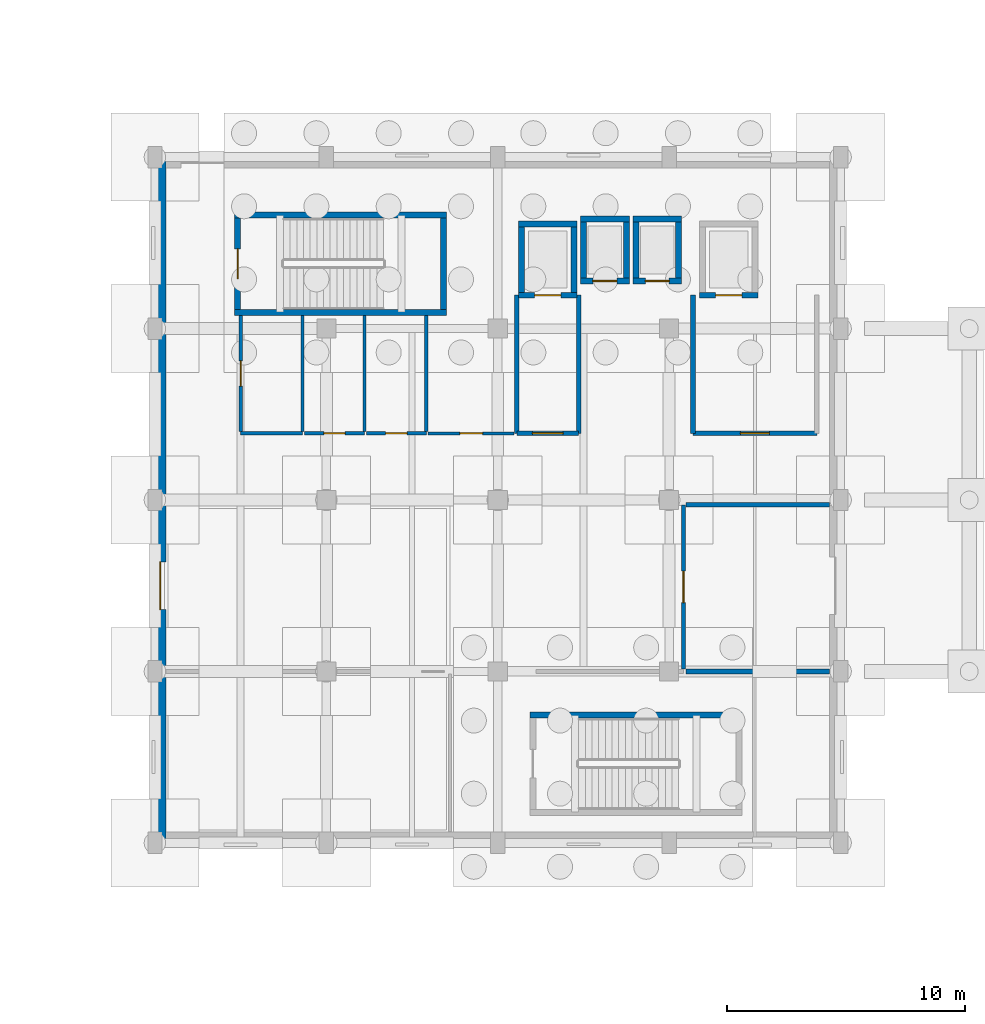
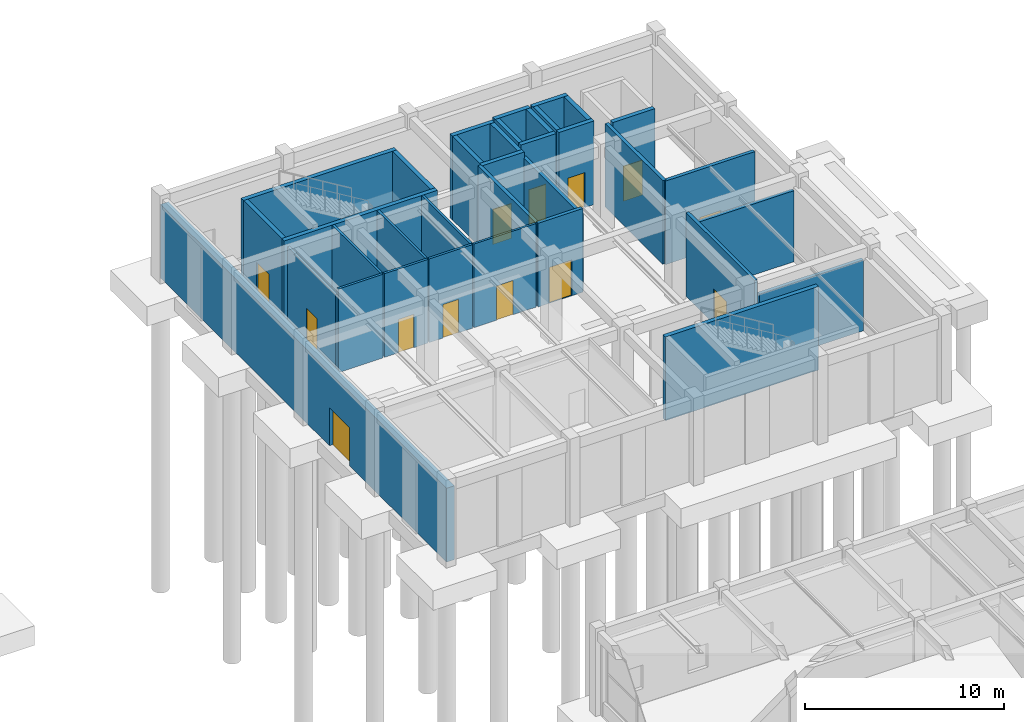
# One storey, part 77 of 91: 35 walls, 13 doors, 13 openings.
"""IFC4 building model written with IfcOpenShell, lengths in metres."""

from ifc_helpers import new_model, si_unit, direction, frame, frame_2d, origin, place, context, subcontext, project, spatial, rectangle, extrude, material, layer, layer_set, type_object, element, fill, save


model = new_model("IFC4")

# Units and contexts
model_context = context("Model", 3, precision=1e-05, world=origin(), true_north=direction((0.0, 1.0)))
body_context = subcontext(model_context, "Body", "Model", "MODEL_VIEW")
ifc_project = project(units=[si_unit("LENGTHUNIT", "METRE"), si_unit("AREAUNIT", "SQUARE_METRE"), si_unit("VOLUMEUNIT", "CUBIC_METRE"), si_unit("PLANEANGLEUNIT", "RADIAN"), si_unit("MASSUNIT", "GRAM", prefix="KILO")], contexts=[model_context])

# Site, building, storey
site_placement = place(None, origin())
site = spatial("IfcSite", under=ifc_project, at=site_placement, CompositionType="ELEMENT")
building_placement = place(site_placement, origin())
building = spatial("IfcBuilding", under=site, at=building_placement, Name="Bramveld Media Centre", CompositionType="ELEMENT")
storey_placement = place(building_placement, origin())
storey = spatial("IfcBuildingStorey", under=building, at=storey_placement, Name="L00", CompositionType="ELEMENT", Elevation=0.0)

# Walls
ifc_material_1 = material(Name="Concrete C40/50 stair & lift core wall", Category="concrete")
ifc_layer_1 = layer(ifc_material_1, 0.25)
ifc_layer_set_1 = layer_set([ifc_layer_1], Name="Concrete C40/50 stair & lift core wall")
wall_type_1 = type_object("IfcWallType", Name="CWALL-SHEAR-250", PredefinedType="SHEAR", material=ifc_layer_set_1)
for number, where, z_axis, x_axis, name in (
    (1, (134.550048828125, 105.47509765625, 0.0), (0.0, 0.0, 1.0), (1.0, 0.0, 0.0), "ST-01 L00 stair core shear wall S"),
    (2, (143.449951171875, 109.574951171875, 0.0), (0.0, 0.0, 1.0), (-1.0, 0.0, 0.0), "ST-01 L00 stair core shear wall N"),
):
    element("IfcWall", number, at=place(storey_placement, frame(where, z_axis=z_axis, x_axis=x_axis)), inside=storey, type_object=wall_type_1, Name=name, PredefinedType="SHEAR", context=body_context, shape_type="SweptSolid", body=[
        extrude(rectangle(XDim=8.89990234375, YDim=0.25, at=frame_2d((4.449951171875, 0.0))), origin(), (0.0, 0.0, 1.0), 5.139892578125),
    ])

# Wall, opening, door
wall_1_placement = place(storey_placement, frame((134.675048828125, 109.449951171875, 0.0), z_axis=(0.0, 0.0, 1.0), x_axis=(0.0, -1.0, 0.0)))
wall_1 = element("IfcWall", 3, at=wall_1_placement, inside=storey, type_object=wall_type_1, Name="ST-01 L00 stair core shear wall W", PredefinedType="SHEAR", context=body_context, shape_type="SweptSolid", body=[
    extrude(rectangle(XDim=3.849853515625, YDim=0.25, at=frame_2d((1.9248046875, 0.0))), origin(), (0.0, 0.0, 1.0), 5.139892578125),
])
opening_1_placement = place(wall_1_placement, frame((1.300048828125, 0.0, 0.0)))
opening_1 = element("IfcOpeningElement", 4, at=opening_1_placement, cuts=wall_1, Name="Opening SD-01-L00", PredefinedType="OPENING", context=body_context, shape_type="SweptSolid", body=[
    extrude(rectangle(XDim=1.25, YDim=2.14990234375, at=frame_2d((0.625, 1.074951171875))), frame((0.0, 0.136962890625, 0.0), z_axis=(0.0, -1.0, 0.0), x_axis=(1.0, 0.0, 0.0)), (0.0, 0.0, 1.0), 0.27392578125),
])
ifc_material_2 = material(Name="Painted galvanized steel acoustic fire door with intumescent smoke seals", Category="steel")
door_type_1 = type_object("IfcDoorType", Name="DR-ST-1250", OperationType="NOTDEFINED", PredefinedType="DOOR", material=ifc_material_2)
door_1_placement = place(opening_1_placement, origin())
door_1 = element("IfcDoor", 5, at=door_1_placement, inside=storey, type_object=door_type_1, Name="ST-01 L00 pressurized stair fire door", OperationType="SINGLE_SWING_LEFT", OverallHeight=2.14990234375, OverallWidth=1.25, PredefinedType="DOOR", context=body_context, shape_type="SweptSolid", body=[
    extrude(rectangle(XDim=1.25, YDim=2.14990234375, at=frame_2d((0.625, 1.074951171875))), frame((0.0, 0.02490234375, 0.0), z_axis=(0.0, -1.0, 0.0), x_axis=(1.0, 0.0, 0.0)), (0.0, 0.0, 1.0), 0.050048828125),
])
fill(opening_1, door_1)

# Walls
wall_2_placement = place(storey_placement, frame((143.324951171875, 105.60009765625, 0.0), z_axis=(0.0, 0.0, 1.0), x_axis=(0.0, 1.0, 0.0)))
element("IfcWall", 6, at=wall_2_placement, inside=storey, type_object=wall_type_1, Name="ST-01 L00 stair core shear wall E", PredefinedType="SHEAR", context=body_context, shape_type="SweptSolid", body=[
    extrude(rectangle(XDim=3.849853515625, YDim=0.25, at=frame_2d((1.9248046875, 0.0))), origin(), (0.0, 0.0, 1.0), 5.139892578125),
])
wall_3_placement = place(storey_placement, frame((155.85009765625, 88.574951171875, 0.0), z_axis=(0.0, 0.0, 1.0), x_axis=(-1.0, 0.0, 0.0)))
element("IfcWall", 7, at=wall_3_placement, inside=storey, type_object=wall_type_1, Name="ST-02 L00 stair core shear wall N", PredefinedType="SHEAR", context=body_context, shape_type="SweptSolid", body=[
    extrude(rectangle(XDim=8.900146484375, YDim=0.25, at=frame_2d((4.4501953125, 0.0))), origin(), (0.0, 0.0, 1.0), 5.139892578125),
])

# Wall, opening, door
wall_4_placement = place(storey_placement, frame((146.47509765625, 106.199951171875, 0.0), z_axis=(0.0, 0.0, 1.0), x_axis=(1.0, 0.0, 0.0)))
wall_4 = element("IfcWall", 8, at=wall_4_placement, inside=storey, type_object=wall_type_1, Name="FL-01 L00 lift shaft wall S", PredefinedType="SHEAR", context=body_context, shape_type="SweptSolid", body=[
    extrude(rectangle(XDim=2.449951171875, YDim=0.25, at=frame_2d((1.22509765625, 0.0))), origin(), (0.0, 0.0, 1.0), 5.139892578125),
])
opening_2_placement = place(wall_4_placement, frame((0.675048828125, 0.0, 0.0)))
opening_2 = element("IfcOpeningElement", 9, at=opening_2_placement, cuts=wall_4, Name="Opening LD-01-01-L00", PredefinedType="OPENING", context=body_context, shape_type="SweptSolid", body=[
    extrude(rectangle(XDim=1.10009765625, YDim=2.14990234375, at=frame_2d((0.550048828125, 1.074951171875))), frame((0.0, 0.136962890625, 0.0), z_axis=(0.0, -1.0, 0.0), x_axis=(1.0, 0.0, 0.0)), (0.0, 0.0, 1.0), 0.27392578125),
])
ifc_material_3 = material(Name="Brushed stainless steel automatic fire-rated sliding lift landing door", Category="steel")
door_type_2 = type_object("IfcDoorType", Name="LD-TYPE-01", OperationType="SLIDING_TO_LEFT", PredefinedType="DOOR", material=ifc_material_3)
door_2_placement = place(opening_2_placement, origin())
door_2 = element("IfcDoor", 10, at=door_2_placement, inside=storey, type_object=door_type_2, Name="FL-01 L00 sliding lift landing door", OperationType="SLIDING_TO_LEFT", OverallHeight=2.14990234375, OverallWidth=1.10009765625, PredefinedType="DOOR", context=body_context, shape_type="SweptSolid", body=[
    extrude(rectangle(XDim=1.10009765625, YDim=2.14990234375, at=frame_2d((0.550048828125, 1.074951171875))), frame((0.0, 0.02490234375, 0.0), z_axis=(0.0, -1.0, 0.0), x_axis=(1.0, 0.0, 0.0)), (0.0, 0.0, 1.0), 0.050048828125),
])
fill(opening_2, door_2)

# Walls
wall_5_placement = place(storey_placement, frame((148.925048828125, 109.199951171875, 0.0), z_axis=(0.0, 0.0, 1.0), x_axis=(-1.0, 0.0, 0.0)))
element("IfcWall", 11, at=wall_5_placement, inside=storey, type_object=wall_type_1, Name="FL-01 L00 lift shaft wall N", PredefinedType="SHEAR", context=body_context, shape_type="SweptSolid", body=[
    extrude(rectangle(XDim=2.449951171875, YDim=0.25, at=frame_2d((1.22509765625, 0.0))), origin(), (0.0, 0.0, 1.0), 5.139892578125),
])
for number, where, z_axis, x_axis, name in (
    (12, (146.60009765625, 109.199951171875, 0.0), (0.0, 0.0, 1.0), (0.0, -1.0, 0.0), "FL-01 L00 lift shaft wall W"),
    (13, (148.800048828125, 106.199951171875, 0.0), (0.0, 0.0, 1.0), (0.0, 1.0, 0.0), "FL-01 L00 lift shaft wall E"),
):
    element("IfcWall", number, at=place(storey_placement, frame(where, z_axis=z_axis, x_axis=x_axis)), inside=storey, type_object=wall_type_1, Name=name, PredefinedType="SHEAR", context=body_context, shape_type="SweptSolid", body=[
        extrude(rectangle(XDim=3.0, YDim=0.25, at=frame_2d((1.5, 0.0))), origin(), (0.0, 0.0, 1.0), 5.139892578125),
    ])

# Wall, opening, door
wall_6_placement = place(storey_placement, frame((154.074951171875, 106.199951171875, 0.0), z_axis=(0.0, 0.0, 1.0), x_axis=(1.0, 0.0, 0.0)))
wall_6 = element("IfcWall", 14, at=wall_6_placement, inside=storey, type_object=wall_type_1, Name="FL-02 L00 lift shaft wall S", PredefinedType="SHEAR", context=body_context, shape_type="SweptSolid", body=[
    extrude(rectangle(XDim=2.449951171875, YDim=0.25, at=frame_2d((1.22509765625, 0.0))), origin(), (0.0, 0.0, 1.0), 5.139892578125),
])
opening_3_placement = place(wall_6_placement, frame((0.675048828125, 0.0, 0.0)))
opening_3 = element("IfcOpeningElement", 15, at=opening_3_placement, cuts=wall_6, Name="Opening LD-01-02-L00", PredefinedType="OPENING", context=body_context, shape_type="SweptSolid", body=[
    extrude(rectangle(XDim=1.10009765625, YDim=2.14990234375, at=frame_2d((0.550048828125, 1.074951171875))), frame((0.0, 0.136962890625, 0.0), z_axis=(0.0, -1.0, 0.0), x_axis=(1.0, 0.0, 0.0)), (0.0, 0.0, 1.0), 0.27392578125),
])
door_3_placement = place(opening_3_placement, origin())
door_3 = element("IfcDoor", 16, at=door_3_placement, inside=storey, type_object=door_type_2, Name="FL-02 L00 sliding lift landing door", OperationType="SLIDING_TO_LEFT", OverallHeight=2.14990234375, OverallWidth=1.10009765625, PredefinedType="DOOR", context=body_context, shape_type="SweptSolid", body=[
    extrude(rectangle(XDim=1.10009765625, YDim=2.14990234375, at=frame_2d((0.550048828125, 1.074951171875))), frame((0.0, 0.02490234375, 0.0), z_axis=(0.0, -1.0, 0.0), x_axis=(1.0, 0.0, 0.0)), (0.0, 0.0, 1.0), 0.050048828125),
])
fill(opening_3, door_3)

wall_7_placement = place(storey_placement, frame((149.074951171875, 106.800048828125, 0.0), z_axis=(0.0, 0.0, 1.0), x_axis=(1.0, 0.0, 0.0)))
wall_7 = element("IfcWall", 17, at=wall_7_placement, inside=storey, type_object=wall_type_1, Name="PL-01 L00 lift shaft wall S", PredefinedType="SHEAR", context=body_context, shape_type="SweptSolid", body=[
    extrude(rectangle(XDim=2.050048828125, YDim=0.25, at=frame_2d((1.02490234375, 0.0))), origin(), (0.0, 0.0, 1.0), 5.139892578125),
])
opening_4_placement = place(wall_7_placement, frame((0.52490234375, 0.0, 0.0)))
opening_4 = element("IfcOpeningElement", 18, at=opening_4_placement, cuts=wall_7, Name="Opening LD-02-01-L00", PredefinedType="OPENING", context=body_context, shape_type="SweptSolid", body=[
    extrude(rectangle(XDim=1.0, YDim=2.14990234375, at=frame_2d((0.5, 1.074951171875))), frame((0.0, 0.136962890625, 0.0), z_axis=(0.0, -1.0, 0.0), x_axis=(1.0, 0.0, 0.0)), (0.0, 0.0, 1.0), 0.27392578125),
])
ifc_material_4 = material(Name="Brushed stainless steel automatic fire-rated sliding lift landing door", Category="steel")
door_type_3 = type_object("IfcDoorType", Name="LD-TYPE-02", OperationType="SLIDING_TO_LEFT", PredefinedType="DOOR", material=ifc_material_4)
door_4_placement = place(opening_4_placement, origin())
door_4 = element("IfcDoor", 19, at=door_4_placement, inside=storey, type_object=door_type_3, Name="PL-01 L00 sliding lift landing door", OperationType="SLIDING_TO_LEFT", OverallHeight=2.14990234375, OverallWidth=1.0, PredefinedType="DOOR", context=body_context, shape_type="SweptSolid", body=[
    extrude(rectangle(XDim=1.0, YDim=2.14990234375, at=frame_2d((0.5, 1.074951171875))), frame((0.0, 0.02490234375, 0.0), z_axis=(0.0, -1.0, 0.0), x_axis=(1.0, 0.0, 0.0)), (0.0, 0.0, 1.0), 0.050048828125),
])
fill(opening_4, door_4)

# Walls
wall_8_placement = place(storey_placement, frame((151.125, 109.39990234375, 0.0), z_axis=(0.0, 0.0, 1.0), x_axis=(-1.0, 0.0, 0.0)))
element("IfcWall", 20, at=wall_8_placement, inside=storey, type_object=wall_type_1, Name="PL-01 L00 lift shaft wall N", PredefinedType="SHEAR", context=body_context, shape_type="SweptSolid", body=[
    extrude(rectangle(XDim=2.050048828125, YDim=0.25, at=frame_2d((1.02490234375, 0.0))), origin(), (0.0, 0.0, 1.0), 5.139892578125),
])
for number, where, z_axis, x_axis, name in (
    (21, (149.199951171875, 109.39990234375, 0.0), (0.0, 0.0, 1.0), (0.0, -1.0, 0.0), "PL-01 L00 lift shaft wall W"),
    (22, (151.0, 106.800048828125, 0.0), (0.0, 0.0, 1.0), (0.0, 1.0, 0.0), "PL-01 L00 lift shaft wall E"),
):
    element("IfcWall", number, at=place(storey_placement, frame(where, z_axis=z_axis, x_axis=x_axis)), inside=storey, type_object=wall_type_1, Name=name, PredefinedType="SHEAR", context=body_context, shape_type="SweptSolid", body=[
        extrude(rectangle(XDim=2.599853515625, YDim=0.25, at=frame_2d((1.2998046875, 0.0))), origin(), (0.0, 0.0, 1.0), 5.139892578125),
    ])

# Wall, opening, door
wall_9_placement = place(storey_placement, frame((151.27490234375, 106.800048828125, 0.0), z_axis=(0.0, 0.0, 1.0), x_axis=(1.0, 0.0, 0.0)))
wall_9 = element("IfcWall", 23, at=wall_9_placement, inside=storey, type_object=wall_type_1, Name="PL-02 L00 lift shaft wall S", PredefinedType="SHEAR", context=body_context, shape_type="SweptSolid", body=[
    extrude(rectangle(XDim=2.050048828125, YDim=0.25, at=frame_2d((1.02490234375, 0.0))), origin(), (0.0, 0.0, 1.0), 5.139892578125),
])
opening_5_placement = place(wall_9_placement, frame((0.52490234375, 0.0, 0.0)))
opening_5 = element("IfcOpeningElement", 24, at=opening_5_placement, cuts=wall_9, Name="Opening LD-02-02-L00", PredefinedType="OPENING", context=body_context, shape_type="SweptSolid", body=[
    extrude(rectangle(XDim=1.0, YDim=2.14990234375, at=frame_2d((0.5, 1.074951171875))), frame((0.0, 0.136962890625, 0.0), z_axis=(0.0, -1.0, 0.0), x_axis=(1.0, 0.0, 0.0)), (0.0, 0.0, 1.0), 0.27392578125),
])
door_5_placement = place(opening_5_placement, origin())
door_5 = element("IfcDoor", 25, at=door_5_placement, inside=storey, type_object=door_type_3, Name="PL-02 L00 sliding lift landing door", OperationType="SLIDING_TO_LEFT", OverallHeight=2.14990234375, OverallWidth=1.0, PredefinedType="DOOR", context=body_context, shape_type="SweptSolid", body=[
    extrude(rectangle(XDim=1.0, YDim=2.14990234375, at=frame_2d((0.5, 1.074951171875))), frame((0.0, 0.02490234375, 0.0), z_axis=(0.0, -1.0, 0.0), x_axis=(1.0, 0.0, 0.0)), (0.0, 0.0, 1.0), 0.050048828125),
])
fill(opening_5, door_5)

# Walls
wall_10_placement = place(storey_placement, frame((153.324951171875, 109.39990234375, 0.0), z_axis=(0.0, 0.0, 1.0), x_axis=(-1.0, 0.0, 0.0)))
element("IfcWall", 26, at=wall_10_placement, inside=storey, type_object=wall_type_1, Name="PL-02 L00 lift shaft wall N", PredefinedType="SHEAR", context=body_context, shape_type="SweptSolid", body=[
    extrude(rectangle(XDim=2.050048828125, YDim=0.25, at=frame_2d((1.02490234375, 0.0))), origin(), (0.0, 0.0, 1.0), 5.139892578125),
])
for number, where, z_axis, x_axis, name in (
    (27, (151.39990234375, 109.39990234375, 0.0), (0.0, 0.0, 1.0), (0.0, -1.0, 0.0), "PL-02 L00 lift shaft wall W"),
    (28, (153.199951171875, 106.800048828125, 0.0), (0.0, 0.0, 1.0), (0.0, 1.0, 0.0), "PL-02 L00 lift shaft wall E"),
):
    element("IfcWall", number, at=place(storey_placement, frame(where, z_axis=z_axis, x_axis=x_axis)), inside=storey, type_object=wall_type_1, Name=name, PredefinedType="SHEAR", context=body_context, shape_type="SweptSolid", body=[
        extrude(rectangle(XDim=2.599853515625, YDim=0.25, at=frame_2d((1.2998046875, 0.0))), origin(), (0.0, 0.0, 1.0), 5.139892578125),
    ])

# Wall, opening, door
ifc_material_5 = material(Name="Flemish red-brown clay facing brick cavity wall with concrete C35/45 inner leaf", Category="masonry")
ifc_layer_2 = layer(ifc_material_5, 0.4599609375)
ifc_layer_set_2 = layer_set([ifc_layer_2], Name="Flemish red-brown clay facing brick cavity wall with concrete C35/45 inner leaf")
wall_type_2 = type_object("IfcWallType", Name="EW-BRK-460", PredefinedType="SOLIDWALL", material=ifc_layer_set_2)
wall_11_placement = place(storey_placement, frame((131.429931640625, 83.199951171875, 0.0), z_axis=(0.0, 0.0, 1.0), x_axis=(0.0, 1.0, 0.0)))
wall_11 = element("IfcWall", 29, at=wall_11_placement, inside=storey, type_object=wall_type_2, Name="V7 L00 W facing brick exterior wall", PredefinedType="SOLIDWALL", context=body_context, shape_type="SweptSolid", body=[
    extrude(rectangle(XDim=28.800048828125, YDim=0.4599609375, at=frame_2d((14.39990234375, 0.0))), origin(), (0.0, 0.0, 1.0), 4.534912109375),
])
opening_6_placement = place(wall_11_placement, frame((9.800048828125, 0.0, 0.0)))
opening_6 = element("IfcOpeningElement", 30, at=opening_6_placement, cuts=wall_11, Name="Opening ED-13", PredefinedType="OPENING", context=body_context, shape_type="SweptSolid", body=[
    extrude(rectangle(XDim=2.0, YDim=2.35009765625, at=frame_2d((1.0, 1.175048828125))), frame((0.0, 0.241943359375, 0.0), z_axis=(0.0, -1.0, 0.0), x_axis=(1.0, 0.0, 0.0)), (0.0, 0.0, 1.0), 0.48388671875),
])
ifc_material_6 = material(Name="Insulated powder-coated bronze aluminium & laminated safety glass door", Category="aluminium")
door_type_4 = type_object("IfcDoorType", Name="DR-EXT-2000", OperationType="NOTDEFINED", PredefinedType="DOOR", material=ifc_material_6)
door_6_placement = place(opening_6_placement, origin())
door_6 = element("IfcDoor", 31, at=door_6_placement, inside=storey, type_object=door_type_4, Name="Exterior door ED-13", OperationType="DOUBLE_DOOR_SINGLE_SWING", OverallHeight=2.35009765625, OverallWidth=2.0, PredefinedType="DOOR", context=body_context, shape_type="SweptSolid", body=[
    extrude(rectangle(XDim=2.0, YDim=2.35009765625, at=frame_2d((1.0, 1.175048828125))), frame((0.0, 0.02490234375, 0.0), z_axis=(0.0, -1.0, 0.0), x_axis=(1.0, 0.0, 0.0)), (0.0, 0.0, 1.0), 0.050048828125),
])
fill(opening_6, door_6)

ifc_material_7 = material(Name="Acoustic calcium-silicate & mineral-wool compartment partition", Category="masonry")
ifc_layer_3 = layer(ifc_material_7, 0.199951171875)
ifc_layer_set_3 = layer_set([ifc_layer_3], Name="Acoustic calcium-silicate & mineral-wool compartment partition")
wall_type_3 = type_object("IfcWallType", Name="IW-ACOU-200", PredefinedType="PARTITIONING", material=ifc_layer_set_3)
wall_12_placement = place(storey_placement, frame((146.39990234375, 100.39990234375, 0.0), z_axis=(0.0, 0.0, 1.0), x_axis=(1.0, 0.0, 0.0)))
wall_12 = element("IfcWall", 32, at=wall_12_placement, inside=storey, type_object=wall_type_3, Name="FL-01 L00 EI 120 firefighting lift lobby wall S", PredefinedType="PARTITIONING", context=body_context, shape_type="SweptSolid", body=[
    extrude(rectangle(XDim=2.60009765625, YDim=0.199951171875, at=frame_2d((1.300048828125, 0.0))), origin(), (0.0, 0.0, 1.0), 5.139892578125),
])
opening_7_placement = place(wall_12_placement, frame((0.64990234375, 0.0, 0.0)))
opening_7 = element("IfcOpeningElement", 33, at=opening_7_placement, cuts=wall_12, Name="Opening FD-01-L00", PredefinedType="OPENING", context=body_context, shape_type="SweptSolid", body=[
    extrude(rectangle(XDim=1.300048828125, YDim=2.199951171875, at=frame_2d((0.64990234375, 1.10009765625))), frame((0.0, 0.11181640625, 0.0), z_axis=(0.0, -1.0, 0.0), x_axis=(1.0, 0.0, 0.0)), (0.0, 0.0, 1.0), 0.223876953125),
])
ifc_material_8 = material(Name="Painted galvanized steel acoustic fire door with intumescent smoke seals", Category="steel")
door_type_5 = type_object("IfcDoorType", Name="DR-FFL-1300", OperationType="NOTDEFINED", PredefinedType="DOOR", material=ifc_material_8)
door_7_placement = place(opening_7_placement, origin())
door_7 = element("IfcDoor", 34, at=door_7_placement, inside=storey, type_object=door_type_5, Name="FL-01 L00 firefighting lobby smoke-control door", OperationType="SINGLE_SWING_LEFT", OverallHeight=2.199951171875, OverallWidth=1.300048828125, PredefinedType="DOOR", context=body_context, shape_type="SweptSolid", body=[
    extrude(rectangle(XDim=1.300048828125, YDim=2.199951171875, at=frame_2d((0.64990234375, 1.10009765625))), frame((0.0, 0.02490234375, 0.0), z_axis=(0.0, -1.0, 0.0), x_axis=(1.0, 0.0, 0.0)), (0.0, 0.0, 1.0), 0.050048828125),
])
fill(opening_7, door_7)

# Walls
wall_13_placement = place(storey_placement, frame((146.39990234375, 106.199951171875, 0.0), z_axis=(0.0, 0.0, 1.0), x_axis=(0.0, -1.0, 0.0)))
element("IfcWall", 35, at=wall_13_placement, inside=storey, type_object=wall_type_3, Name="FL-01 L00 EI 120 firefighting lift lobby wall W", PredefinedType="PARTITIONING", context=body_context, shape_type="SweptSolid", body=[
    extrude(rectangle(XDim=5.800048828125, YDim=0.199951171875, at=frame_2d((2.89990234375, 0.0))), origin(), (0.0, 0.0, 1.0), 5.139892578125),
])
wall_14_placement = place(storey_placement, frame((149.0, 100.39990234375, 0.0), z_axis=(0.0, 0.0, 1.0), x_axis=(0.0, 1.0, 0.0)))
element("IfcWall", 36, at=wall_14_placement, inside=storey, type_object=wall_type_3, Name="FL-01 L00 EI 120 firefighting lift lobby wall E", PredefinedType="PARTITIONING", context=body_context, shape_type="SweptSolid", body=[
    extrude(rectangle(XDim=5.800048828125, YDim=0.199951171875, at=frame_2d((2.89990234375, 0.0))), origin(), (0.0, 0.0, 1.0), 4.7548828125),
])

# Wall, opening, door
wall_15_placement = place(storey_placement, frame((153.800048828125, 100.39990234375, 0.0), z_axis=(0.0, 0.0, 1.0), x_axis=(1.0, 0.0, 0.0)))
wall_15 = element("IfcWall", 37, at=wall_15_placement, inside=storey, type_object=wall_type_3, Name="FL-02 L00 EI 120 firefighting lift lobby wall S", PredefinedType="PARTITIONING", context=body_context, shape_type="SweptSolid", body=[
    extrude(rectangle(XDim=5.199951171875, YDim=0.199951171875, at=frame_2d((2.60009765625, 0.0))), origin(), (0.0, 0.0, 1.0), 5.139892578125),
])
opening_8_placement = place(wall_15_placement, frame((1.989990234375, 0.0, 0.0)))
opening_8 = element("IfcOpeningElement", 38, at=opening_8_placement, cuts=wall_15, Name="Opening FD-02-L00", PredefinedType="OPENING", context=body_context, shape_type="SweptSolid", body=[
    extrude(rectangle(XDim=1.219970703125, YDim=2.199951171875, at=frame_2d((0.60986328125, 1.10009765625))), frame((0.0, 0.11181640625, 0.0), z_axis=(0.0, -1.0, 0.0), x_axis=(1.0, 0.0, 0.0)), (0.0, 0.0, 1.0), 0.223876953125),
])
ifc_material_9 = material(Name="Painted galvanized steel acoustic fire door with intumescent smoke seals", Category="steel")
door_type_6 = type_object("IfcDoorType", Name="DR-FFL-1220", OperationType="NOTDEFINED", PredefinedType="DOOR", material=ifc_material_9)
door_8_placement = place(opening_8_placement, origin())
door_8 = element("IfcDoor", 39, at=door_8_placement, inside=storey, type_object=door_type_6, Name="FL-02 L00 firefighting lobby smoke-control door", OperationType="SINGLE_SWING_LEFT", OverallHeight=2.199951171875, OverallWidth=1.219970703125, PredefinedType="DOOR", context=body_context, shape_type="SweptSolid", body=[
    extrude(rectangle(XDim=1.219970703125, YDim=2.199951171875, at=frame_2d((0.60986328125, 1.10009765625))), frame((0.0, 0.02490234375, 0.0), z_axis=(0.0, -1.0, 0.0), x_axis=(1.0, 0.0, 0.0)), (0.0, 0.0, 1.0), 0.050048828125),
])
fill(opening_8, door_8)

# Walls
wall_16_placement = place(storey_placement, frame((153.800048828125, 106.199951171875, 0.0), z_axis=(0.0, 0.0, 1.0), x_axis=(0.0, -1.0, 0.0)))
element("IfcWall", 40, at=wall_16_placement, inside=storey, type_object=wall_type_3, Name="FL-02 L00 EI 120 firefighting lift lobby wall W", PredefinedType="PARTITIONING", context=body_context, shape_type="SweptSolid", body=[
    extrude(rectangle(XDim=5.800048828125, YDim=0.199951171875, at=frame_2d((2.89990234375, 0.0))), origin(), (0.0, 0.0, 1.0), 5.139892578125),
])
for number, where, z_axis, x_axis, name in (
    (41, (153.5, 90.39990234375, 0.0), (0.0, 0.0, 1.0), (1.0, 0.0, 0.0), "Central Media Ingest & Fiber Room partition wall"),
    (42, (153.5, 97.39990234375, 0.0), (0.0, 0.0, 1.0), (1.0, 0.0, 0.0), "Central Media Ingest & Fiber Room partition wall"),
):
    element("IfcWall", number, at=place(storey_placement, frame(where, z_axis=z_axis, x_axis=x_axis)), inside=storey, type_object=wall_type_3, Name=name, PredefinedType="PARTITIONING", context=body_context, shape_type="SweptSolid", body=[
        extrude(rectangle(XDim=6.030029296875, YDim=0.199951171875, at=frame_2d((3.01513671875, 0.0))), origin(), (0.0, 0.0, 1.0), 4.364990234375),
    ])

# Wall, opening, door
ifc_material_10 = material(Name="Fire-rated twin-frame gypsum corridor wall", Category="gypsum")
ifc_layer_4 = layer(ifc_material_10, 0.179931640625)
ifc_layer_set_4 = layer_set([ifc_layer_4], Name="Fire-rated twin-frame gypsum corridor wall")
wall_type_4 = type_object("IfcWallType", Name="IW-FIRE-180", PredefinedType="PARTITIONING", material=ifc_layer_set_4)
wall_17_placement = place(storey_placement, frame((153.39990234375, 90.5, 0.0), z_axis=(0.0, 0.0, 1.0), x_axis=(0.0, 1.0, 0.0)))
wall_17 = element("IfcWall", 43, at=wall_17_placement, inside=storey, type_object=wall_type_4, Name="Press & Festival Accreditation Circulation Lobby partition wall", PredefinedType="PARTITIONING", context=body_context, shape_type="SweptSolid", body=[
    extrude(rectangle(XDim=6.89990234375, YDim=0.179931640625, at=frame_2d((3.449951171875, 0.0))), origin(), (0.0, 0.0, 1.0), 5.139892578125),
])
opening_9_placement = place(wall_17_placement, frame((2.7900390625, 0.0, 0.0)))
opening_9 = element("IfcOpeningElement", 44, at=opening_9_placement, cuts=wall_17, Name="Opening D-00-048", PredefinedType="OPENING", context=body_context, shape_type="SweptSolid", body=[
    extrude(rectangle(XDim=1.320068359375, YDim=2.14990234375, at=frame_2d((0.66015625, 1.074951171875))), frame((0.0, 0.10205078125, 0.0), z_axis=(0.0, -1.0, 0.0), x_axis=(1.0, 0.0, 0.0)), (0.0, 0.0, 1.0), 0.203857421875),
])
ifc_material_11 = material(Name="Fire-rated acoustic timber & steel composite door", Category="steel")
door_type_7 = type_object("IfcDoorType", Name="DR-PLANT-1320", OperationType="NOTDEFINED", PredefinedType="DOOR", material=ifc_material_11)
door_9_placement = place(opening_9_placement, origin())
door_9 = element("IfcDoor", 45, at=door_9_placement, inside=storey, type_object=door_type_7, Name="Central Media Ingest & Fiber Room entrance door", OperationType="SINGLE_SWING_RIGHT", OverallHeight=2.14990234375, OverallWidth=1.320068359375, PredefinedType="DOOR", context=body_context, shape_type="SweptSolid", body=[
    extrude(rectangle(XDim=1.320068359375, YDim=2.14990234375, at=frame_2d((0.66015625, 1.074951171875))), frame((0.0, 0.02490234375, 0.0), z_axis=(0.0, -1.0, 0.0), x_axis=(1.0, 0.0, 0.0)), (0.0, 0.0, 1.0), 0.050048828125),
])
fill(opening_9, door_9)

ifc_material_12 = material(Name="Lightweight acoustic stud partition", Category="gypsum")
ifc_layer_5 = layer(ifc_material_12, 0.125)
ifc_layer_set_5 = layer_set([ifc_layer_5], Name="Lightweight acoustic stud partition")
wall_type_5 = type_object("IfcWallType", Name="IW-PART-125", PredefinedType="PARTITIONING", material=ifc_layer_set_5)
wall_18_placement = place(storey_placement, frame((142.679931640625, 100.39990234375, 0.0), z_axis=(0.0, 0.0, 1.0), x_axis=(1.0, 0.0, 0.0)))
wall_18 = element("IfcWall", 46, at=wall_18_placement, inside=storey, type_object=wall_type_5, Name="Media Editing Booth L00 partition wall", PredefinedType="PARTITIONING", context=body_context, shape_type="SweptSolid", body=[
    extrude(rectangle(XDim=3.610107421875, YDim=0.125, at=frame_2d((1.80517578125, 0.0))), origin(), (0.0, 0.0, 1.0), 5.139892578125),
])
opening_10_placement = place(wall_18_placement, frame((1.324951171875, 0.0, 0.0)))
opening_10 = element("IfcOpeningElement", 47, at=opening_10_placement, cuts=wall_18, Name="Opening D-00-046", PredefinedType="OPENING", context=body_context, shape_type="SweptSolid", body=[
    extrude(rectangle(XDim=0.9599609375, YDim=2.10009765625, at=frame_2d((0.47998046875, 1.050048828125))), frame((0.0, 0.074462890625, 0.0), z_axis=(0.0, -1.0, 0.0), x_axis=(1.0, 0.0, 0.0)), (0.0, 0.0, 1.0), 0.14892578125),
])
ifc_material_13 = material(Name="Solid-core European oak acoustic timber leaf in steel frame", Category="steel")
door_type_8 = type_object("IfcDoorType", Name="DR-RM-0960", OperationType="NOTDEFINED", PredefinedType="DOOR", material=ifc_material_13)
door_10_placement = place(opening_10_placement, origin())
door_10 = element("IfcDoor", 48, at=door_10_placement, inside=storey, type_object=door_type_8, Name="Media Editing Booth L00 entrance door", OperationType="SINGLE_SWING_RIGHT", OverallHeight=2.10009765625, OverallWidth=0.9599609375, PredefinedType="DOOR", context=body_context, shape_type="SweptSolid", body=[
    extrude(rectangle(XDim=0.9599609375, YDim=2.10009765625, at=frame_2d((0.47998046875, 1.050048828125))), frame((0.0, 0.02490234375, 0.0), z_axis=(0.0, -1.0, 0.0), x_axis=(1.0, 0.0, 0.0)), (0.0, 0.0, 1.0), 0.050048828125),
])
fill(opening_10, door_10)

# Wall
ifc_material_14 = material(Name="Moisture-resistant cement-board sanitary partition", Category="gypsum")
ifc_layer_6 = layer(ifc_material_14, 0.139892578125)
ifc_layer_set_6 = layer_set([ifc_layer_6], Name="Moisture-resistant cement-board sanitary partition")
wall_type_6 = type_object("IfcWallType", Name="IW-WET-140", PredefinedType="PARTITIONING", material=ifc_layer_set_6)
wall_19_placement = place(storey_placement, frame((134.800048828125, 100.39990234375, 0.0), z_axis=(0.0, 0.0, 1.0), x_axis=(1.0, 0.0, 0.0)))
element("IfcWall", 49, at=wall_19_placement, inside=storey, type_object=wall_type_6, Name="Accessible WC partition wall", PredefinedType="PARTITIONING", context=body_context, shape_type="SweptSolid", body=[
    extrude(rectangle(XDim=2.599853515625, YDim=0.139892578125, at=frame_2d((1.2998046875, 0.0))), origin(), (0.0, 0.0, 1.0), 5.139892578125),
])

# Wall, opening, door
wall_20_placement = place(storey_placement, frame((134.800048828125, 100.47998046875, 0.0), z_axis=(0.0, 0.0, 1.0), x_axis=(0.0, 1.0, 0.0)))
wall_20 = element("IfcWall", 50, at=wall_20_placement, inside=storey, type_object=wall_type_6, Name="Accessible WC partition wall", PredefinedType="PARTITIONING", context=body_context, shape_type="SweptSolid", body=[
    extrude(rectangle(XDim=4.860107421875, YDim=0.139892578125, at=frame_2d((2.43017578125, 0.0))), origin(), (0.0, 0.0, 1.0), 4.72509765625),
])
opening_11_placement = place(wall_20_placement, frame((1.89990234375, 0.0, 0.0)))
opening_11 = element("IfcOpeningElement", 51, at=opening_11_placement, cuts=wall_20, Name="Opening D-00-043", PredefinedType="OPENING", context=body_context, shape_type="SweptSolid", body=[
    extrude(rectangle(XDim=1.06005859375, YDim=2.10009765625, at=frame_2d((0.530029296875, 1.050048828125))), frame((0.0, 0.08203125, 0.0), z_axis=(0.0, -1.0, 0.0), x_axis=(1.0, 0.0, 0.0)), (0.0, 0.0, 1.0), 0.163818359375),
])
ifc_material_15 = material(Name="Solid-core European oak acoustic timber leaf in steel frame", Category="steel")
door_type_9 = type_object("IfcDoorType", Name="DR-WC-PMR-1060", OperationType="NOTDEFINED", PredefinedType="DOOR", material=ifc_material_15)
door_11_placement = place(opening_11_placement, origin())
door_11 = element("IfcDoor", 52, at=door_11_placement, inside=storey, type_object=door_type_9, Name="Accessible WC entrance door", OperationType="SINGLE_SWING_LEFT", OverallHeight=2.10009765625, OverallWidth=1.06005859375, PredefinedType="DOOR", context=body_context, shape_type="SweptSolid", body=[
    extrude(rectangle(XDim=1.06005859375, YDim=2.10009765625, at=frame_2d((0.530029296875, 1.050048828125))), frame((0.0, 0.02490234375, 0.0), z_axis=(0.0, -1.0, 0.0), x_axis=(1.0, 0.0, 0.0)), (0.0, 0.0, 1.0), 0.050048828125),
])
fill(opening_11, door_11)

# Wall
wall_21_placement = place(storey_placement, frame((137.39990234375, 100.47998046875, 0.0), z_axis=(0.0, 0.0, 1.0), x_axis=(0.0, 1.0, 0.0)))
element("IfcWall", 53, at=wall_21_placement, inside=storey, type_object=wall_type_6, Name="Accessible WC partition wall", PredefinedType="PARTITIONING", context=body_context, shape_type="SweptSolid", body=[
    extrude(rectangle(XDim=4.860107421875, YDim=0.139892578125, at=frame_2d((2.43017578125, 0.0))), origin(), (0.0, 0.0, 1.0), 5.139892578125),
])

# Wall, opening, door
wall_22_placement = place(storey_placement, frame((137.47998046875, 100.39990234375, 0.0), z_axis=(0.0, 0.0, 1.0), x_axis=(1.0, 0.0, 0.0)))
wall_22 = element("IfcWall", 54, at=wall_22_placement, inside=storey, type_object=wall_type_6, Name="Male WC partition wall", PredefinedType="PARTITIONING", context=body_context, shape_type="SweptSolid", body=[
    extrude(rectangle(XDim=2.52001953125, YDim=0.139892578125, at=frame_2d((1.260009765625, 0.0))), origin(), (0.0, 0.0, 1.0), 5.139892578125),
])
opening_12_placement = place(wall_22_placement, frame((0.81494140625, 0.0, 0.0)))
opening_12 = element("IfcOpeningElement", 55, at=opening_12_placement, cuts=wall_22, Name="Opening D-00-044", PredefinedType="OPENING", context=body_context, shape_type="SweptSolid", body=[
    extrude(rectangle(XDim=0.889892578125, YDim=2.050048828125, at=frame_2d((0.44482421875, 1.02490234375))), frame((0.0, 0.08203125, 0.0), z_axis=(0.0, -1.0, 0.0), x_axis=(1.0, 0.0, 0.0)), (0.0, 0.0, 1.0), 0.163818359375),
])
ifc_material_16 = material(Name="Solid-core European oak acoustic timber leaf in steel frame", Category="steel")
door_type_10 = type_object("IfcDoorType", Name="DR-WC-0890", OperationType="NOTDEFINED", PredefinedType="DOOR", material=ifc_material_16)
door_12_placement = place(opening_12_placement, origin())
door_12 = element("IfcDoor", 56, at=door_12_placement, inside=storey, type_object=door_type_10, Name="Male WC entrance door", OperationType="SINGLE_SWING_RIGHT", OverallHeight=2.050048828125, OverallWidth=0.889892578125, PredefinedType="DOOR", context=body_context, shape_type="SweptSolid", body=[
    extrude(rectangle(XDim=0.889892578125, YDim=2.050048828125, at=frame_2d((0.44482421875, 1.02490234375))), frame((0.0, 0.02490234375, 0.0), z_axis=(0.0, -1.0, 0.0), x_axis=(1.0, 0.0, 0.0)), (0.0, 0.0, 1.0), 0.050048828125),
])
fill(opening_12, door_12)

# Wall
wall_23_placement = place(storey_placement, frame((140.0, 100.47998046875, 0.0), z_axis=(0.0, 0.0, 1.0), x_axis=(0.0, 1.0, 0.0)))
element("IfcWall", 57, at=wall_23_placement, inside=storey, type_object=wall_type_6, Name="Male WC partition wall", PredefinedType="PARTITIONING", context=body_context, shape_type="SweptSolid", body=[
    extrude(rectangle(XDim=4.860107421875, YDim=0.139892578125, at=frame_2d((2.43017578125, 0.0))), origin(), (0.0, 0.0, 1.0), 5.139892578125),
])

# Wall, opening, door
wall_24_placement = place(storey_placement, frame((140.080078125, 100.39990234375, 0.0), z_axis=(0.0, 0.0, 1.0), x_axis=(1.0, 0.0, 0.0)))
wall_24 = element("IfcWall", 58, at=wall_24_placement, inside=storey, type_object=wall_type_6, Name="Female WC partition wall", PredefinedType="PARTITIONING", context=body_context, shape_type="SweptSolid", body=[
    extrude(rectangle(XDim=2.52001953125, YDim=0.139892578125, at=frame_2d((1.260009765625, 0.0))), origin(), (0.0, 0.0, 1.0), 5.139892578125),
])
opening_13_placement = place(wall_24_placement, frame((0.804931640625, 0.0, 0.0)))
opening_13 = element("IfcOpeningElement", 59, at=opening_13_placement, cuts=wall_24, Name="Opening D-00-045", PredefinedType="OPENING", context=body_context, shape_type="SweptSolid", body=[
    extrude(rectangle(XDim=0.909912109375, YDim=2.06005859375, at=frame_2d((0.455078125, 1.030029296875))), frame((0.0, 0.08203125, 0.0), z_axis=(0.0, -1.0, 0.0), x_axis=(1.0, 0.0, 0.0)), (0.0, 0.0, 1.0), 0.163818359375),
])
ifc_material_17 = material(Name="Solid-core European oak acoustic timber leaf in steel frame", Category="steel")
door_type_11 = type_object("IfcDoorType", Name="DR-WC-0910", OperationType="NOTDEFINED", PredefinedType="DOOR", material=ifc_material_17)
door_13_placement = place(opening_13_placement, origin())
door_13 = element("IfcDoor", 60, at=door_13_placement, inside=storey, type_object=door_type_11, Name="Female WC entrance door", OperationType="SINGLE_SWING_LEFT", OverallHeight=2.06005859375, OverallWidth=0.909912109375, PredefinedType="DOOR", context=body_context, shape_type="SweptSolid", body=[
    extrude(rectangle(XDim=0.909912109375, YDim=2.06005859375, at=frame_2d((0.455078125, 1.030029296875))), frame((0.0, 0.02490234375, 0.0), z_axis=(0.0, -1.0, 0.0), x_axis=(1.0, 0.0, 0.0)), (0.0, 0.0, 1.0), 0.050048828125),
])
fill(opening_13, door_13)

# Wall
wall_25_placement = place(storey_placement, frame((142.60009765625, 100.47998046875, 0.0), z_axis=(0.0, 0.0, 1.0), x_axis=(0.0, 1.0, 0.0)))
element("IfcWall", 61, at=wall_25_placement, inside=storey, type_object=wall_type_6, Name="Female WC partition wall", PredefinedType="PARTITIONING", context=body_context, shape_type="SweptSolid", body=[
    extrude(rectangle(XDim=4.860107421875, YDim=0.139892578125, at=frame_2d((2.43017578125, 0.0))), origin(), (0.0, 0.0, 1.0), 5.139892578125),
])

save(model, "model.ifc")
